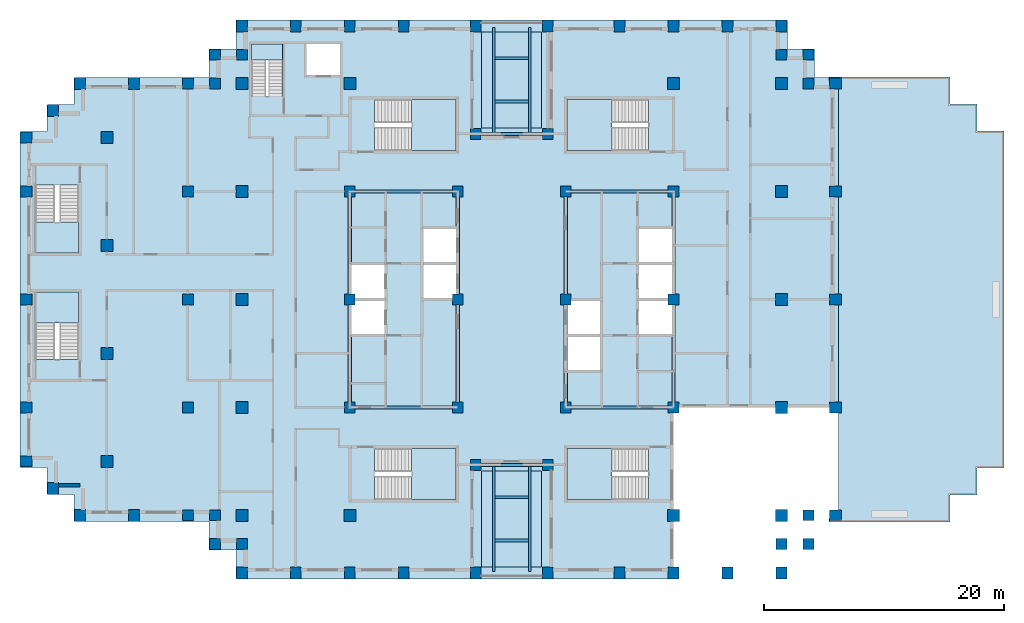
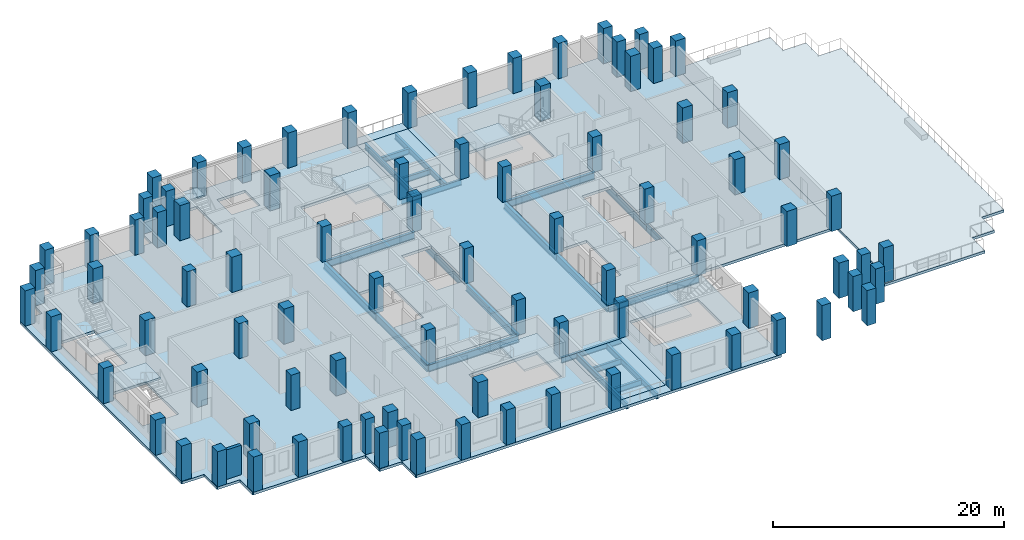
# One storey, part 1 of 12: 87 columns, 22 beams, 13 slabs, 1 wall, 7 elements without a shape of their own.
"""IFC4 building model written with IfcOpenShell, lengths in metres."""

from ifc_helpers import new_model, si_unit, direction, frame, frame_2d, origin, origin_2d, place, context, subcontext, project, spatial, polyline, rectangle, i_section, outline, extrude, material, layer, layer_set, material_profile, profile_set, type_object, element, aggregate, save


model = new_model("IFC4")

# Units and contexts
model_context = context("Model", 3, precision=1e-05, world=origin(), true_north=direction((0.0, 1.0)))
body_context = subcontext(model_context, "Body", "Model", "MODEL_VIEW")
ifc_project = project(units=[si_unit("LENGTHUNIT", "METRE"), si_unit("AREAUNIT", "SQUARE_METRE"), si_unit("VOLUMEUNIT", "CUBIC_METRE"), si_unit("PLANEANGLEUNIT", "RADIAN"), si_unit("MASSUNIT", "GRAM", prefix="KILO")], contexts=[model_context])

# Site, building, storey
site_placement = place(None, origin())
site = spatial("IfcSite", under=ifc_project, at=site_placement, CompositionType="ELEMENT")
building_placement = place(site_placement, origin())
building = spatial("IfcBuilding", under=site, at=building_placement, Name="Corbelhall Arena Tower", CompositionType="ELEMENT")
storey_placement = place(building_placement, frame((0.0, 0.0, 184.0)))
storey = spatial("IfcBuildingStorey", under=building, at=storey_placement, Name="L37", CompositionType="ELEMENT", Elevation=184.0)

# Columns
ifc_material_1 = material(Name="Concrete C80/95", Category="concrete")
ifc_material_profile_1 = material_profile(ifc_material_1, rectangle(XDim=1.0, YDim=1.0, at=origin_2d()))
ifc_profile_set_1 = profile_set([ifc_material_profile_1], Name="Concrete C80/95")
column_type_1 = type_object("IfcColumnType", Name="ST-COL-RC 1000x1000", PredefinedType="COLUMN", material=ifc_profile_set_1)
for number, where, z_axis, x_axis, name in (
    (1, (-33.75, 4.5, 0.0), (0.0, 0.0, 1.0), (1.0, 0.0, 0.0), "Column FIC+0450"),
    (2, (-33.75, 13.5, 0.0), (0.0, 0.0, 1.0), (1.0, 0.0, 0.0), "Column FIC+1350"),
    (3, (-33.75, -4.5, 0.0), (0.0, 0.0, 1.0), (1.0, 0.0, 0.0), "Column FIC-0450"),
    (4, (-33.75, -13.5, 0.0), (0.0, 0.0, 1.0), (1.0, 0.0, 0.0), "Column FIC-1350"),
    (5, (13.5, 18.0, 0.0), (0.0, 0.0, 1.0), (1.0, 0.0, 0.0), "Column IE13+1800"),
    (6, (13.5, -18.0, 0.0), (0.0, 0.0, 1.0), (1.0, 0.0, 0.0), "Column IE13-1800"),
    (7, (22.5, 0.0, 0.0), (0.0, 0.0, 1.0), (1.0, 0.0, 0.0), "Column IE22+0000"),
    (8, (22.5, 9.0, 0.0), (0.0, 0.0, 1.0), (1.0, 0.0, 0.0), "Column IE22+0900"),
    (9, (22.5, 18.0, 0.0), (0.0, 0.0, 1.0), (1.0, 0.0, 0.0), "Column IE22+1800"),
    (10, (22.5, -9.0, 0.0), (0.0, 0.0, 1.0), (1.0, 0.0, 0.0), "Column IE22-0900"),
    (11, (22.5, -18.0, 0.0), (0.0, 0.0, 1.0), (1.0, 0.0, 0.0), "Column IE22-1800"),
    (12, (-13.5, 18.0, 0.0), (0.0, 0.0, 1.0), (1.0, 0.0, 0.0), "Column IW13+1800"),
    (13, (-13.5, -18.0, 0.0), (0.0, 0.0, 1.0), (1.0, 0.0, 0.0), "Column IW13-1800"),
    (14, (-22.5, 0.0, 0.0), (0.0, 0.0, 1.0), (1.0, 0.0, 0.0), "Column IW22+0000"),
    (15, (-22.5, 9.0, 0.0), (0.0, 0.0, 1.0), (1.0, 0.0, 0.0), "Column IW22+0900"),
    (16, (-22.5, 18.0, 0.0), (0.0, 0.0, 1.0), (1.0, 0.0, 0.0), "Column IW22+1800"),
    (17, (-22.5, -9.0, 0.0), (0.0, 0.0, 1.0), (1.0, 0.0, 0.0), "Column IW22-0900"),
    (18, (-22.5, -18.0, 0.0), (0.0, 0.0, 1.0), (1.0, 0.0, 0.0), "Column IW22-1800"),
):
    element("IfcColumn", number, at=place(storey_placement, frame(where, z_axis=z_axis, x_axis=x_axis)), inside=storey, type_object=column_type_1, Name=name, PredefinedType="COLUMN", context=body_context, shape_type="SweptSolid", body=[
        extrude(rectangle(XDim=1.0, YDim=1.0, at=origin_2d()), origin(), (0.0, 0.0, 1.0), 3.719970703125),
    ])
ifc_material_profile_2 = material_profile(ifc_material_1, rectangle(XDim=0.89990234375, YDim=1.0, at=origin_2d()))
ifc_profile_set_2 = profile_set([ifc_material_profile_2], Name="Concrete C80/95")
column_type_2 = type_object("IfcColumnType", Name="ST-COL-RC 900x1000", PredefinedType="COLUMN", material=ifc_profile_set_2)
for number, where, z_axis, x_axis, name in (
    (19, (-40.5, 0.0, 0.0), (0.0, 0.0, 1.0), (0.0, 1.0, 0.0), "Column FC+0000"),
    (20, (-40.5, 9.0, 0.0), (0.0, 0.0, 1.0), (0.0, 1.0, 0.0), "Column FC+0900"),
    (21, (-40.5, 13.5, 0.0), (0.0, 0.0, 1.0), (0.0, 1.0, 0.0), "Column FC+1350"),
    (22, (-40.5, -9.0, 0.0), (0.0, 0.0, 1.0), (0.0, 1.0, 0.0), "Column FC-0900"),
    (23, (-40.5, -13.5, 0.0), (0.0, 0.0, 1.0), (0.0, 1.0, 0.0), "Column FC-1350"),
    (24, (-38.25, 15.75, 0.0), (0.0, 0.0, 1.0), (1.0, 0.0, 0.0), "Column FCCN"),
    (25, (-38.25, -15.75, 0.0), (0.0, 0.0, 1.0), (1.0, 0.0, 0.0), "Column FCCS"),
    (26, (-31.5, 18.0, 0.0), (0.0, 0.0, 1.0), (1.0, 0.0, 0.0), "Column FCN3150"),
    (27, (-36.0, 18.0, 0.0), (0.0, 0.0, 1.0), (1.0, 0.0, 0.0), "Column FCN3600"),
    (28, (-31.5, -18.0, 0.0), (0.0, 0.0, 1.0), (1.0, 0.0, 0.0), "Column FCS3150"),
    (29, (-36.0, -18.0, 0.0), (0.0, 0.0, 1.0), (1.0, 0.0, 0.0), "Column FCS3600"),
    (30, (27.0, 0.0, 0.0), (0.0, 0.0, 1.0), (0.0, 1.0, 0.0), "Column PE+0000"),
    (31, (27.0, 9.0, 0.0), (0.0, 0.0, 1.0), (0.0, 1.0, 0.0), "Column PE+0900"),
    (32, (27.0, 18.0, 0.0), (0.0, 0.0, 1.0), (0.0, 1.0, 0.0), "Column PE+1800"),
    (33, (27.0, -9.0, 0.0), (0.0, 0.0, 1.0), (0.0, 1.0, 0.0), "Column PE-0900"),
    (34, (27.0, -18.0, 0.0), (0.0, 0.0, 1.0), (0.0, 1.0, 0.0), "Column PE-1800"),
    (35, (3.0, 22.800048828125, 0.0), (0.0, 0.0, 1.0), (1.0, 0.0, 0.0), "Column PNE0300"),
    (36, (9.0, 22.800048828125, 0.0), (0.0, 0.0, 1.0), (1.0, 0.0, 0.0), "Column PNE0900"),
    (37, (13.5, 22.800048828125, 0.0), (0.0, 0.0, 1.0), (1.0, 0.0, 0.0), "Column PNE1350"),
    (38, (18.0, 22.800048828125, 0.0), (0.0, 0.0, 1.0), (1.0, 0.0, 0.0), "Column PNE1800"),
    (39, (22.5, 22.800048828125, 0.0), (0.0, 0.0, 1.0), (1.0, 0.0, 0.0), "Column PNE2250"),
    (40, (-3.0, 22.800048828125, 0.0), (0.0, 0.0, 1.0), (1.0, 0.0, 0.0), "Column PNW0300"),
    (41, (-9.0, 22.800048828125, 0.0), (0.0, 0.0, 1.0), (1.0, 0.0, 0.0), "Column PNW0900"),
    (42, (-13.5, 22.800048828125, 0.0), (0.0, 0.0, 1.0), (1.0, 0.0, 0.0), "Column PNW1350"),
    (43, (-18.0, 22.800048828125, 0.0), (0.0, 0.0, 1.0), (1.0, 0.0, 0.0), "Column PNW1800"),
    (44, (-22.5, 22.800048828125, 0.0), (0.0, 0.0, 1.0), (1.0, 0.0, 0.0), "Column PNW2250"),
    (45, (3.0, -22.800048828125, 0.0), (0.0, 0.0, 1.0), (1.0, 0.0, 0.0), "Column PSE0300"),
    (46, (9.0, -22.800048828125, 0.0), (0.0, 0.0, 1.0), (1.0, 0.0, 0.0), "Column PSE0900"),
    (47, (13.5, -22.800048828125, 0.0), (0.0, 0.0, 1.0), (1.0, 0.0, 0.0), "Column PSE1350"),
    (48, (18.0, -22.800048828125, 0.0), (0.0, 0.0, 1.0), (1.0, 0.0, 0.0), "Column PSE1800"),
    (49, (22.5, -22.800048828125, 0.0), (0.0, 0.0, 1.0), (1.0, 0.0, 0.0), "Column PSE2250"),
    (50, (-3.0, -22.800048828125, 0.0), (0.0, 0.0, 1.0), (1.0, 0.0, 0.0), "Column PSW0300"),
    (51, (-9.0, -22.800048828125, 0.0), (0.0, 0.0, 1.0), (1.0, 0.0, 0.0), "Column PSW0900"),
    (52, (-13.5, -22.800048828125, 0.0), (0.0, 0.0, 1.0), (1.0, 0.0, 0.0), "Column PSW1350"),
    (53, (-18.0, -22.800048828125, 0.0), (0.0, 0.0, 1.0), (1.0, 0.0, 0.0), "Column PSW1800"),
    (54, (-22.5, -22.800048828125, 0.0), (0.0, 0.0, 1.0), (1.0, 0.0, 0.0), "Column PSW2250"),
):
    element("IfcColumn", number, at=place(storey_placement, frame(where, z_axis=z_axis, x_axis=x_axis)), inside=storey, type_object=column_type_2, Name=name, PredefinedType="COLUMN", context=body_context, shape_type="SweptSolid", body=[
        extrude(rectangle(XDim=0.89990234375, YDim=1.0, at=origin_2d()), origin(), (0.0, 0.0, 1.0), 3.719970703125),
    ])
ifc_material_profile_3 = material_profile(ifc_material_1, rectangle(XDim=0.89990234375, YDim=0.89990234375, at=origin_2d()))
ifc_profile_set_3 = profile_set([ifc_material_profile_3], Name="Concrete C80/95")
column_type_3 = type_object("IfcColumnType", Name="ST-COL-RC 900x900", PredefinedType="COLUMN", material=ifc_profile_set_3)
for number, where, z_axis, x_axis, name in (
    (55, (4.5, 0.0, 0.0), (0.0, 0.0, 1.0), (1.0, 0.0, 0.0), "Column KE+0450+0000"),
    (56, (4.5, 9.0, 0.0), (0.0, 0.0, 1.0), (1.0, 0.0, 0.0), "Column KE+0450+0900"),
    (57, (4.5, -9.0, 0.0), (0.0, 0.0, 1.0), (1.0, 0.0, 0.0), "Column KE+0450-0900"),
    (58, (13.5, 0.0, 0.0), (0.0, 0.0, 1.0), (1.0, 0.0, 0.0), "Column KE+1350+0000"),
    (59, (13.5, 9.0, 0.0), (0.0, 0.0, 1.0), (1.0, 0.0, 0.0), "Column KE+1350+0900"),
    (60, (13.5, -9.0, 0.0), (0.0, 0.0, 1.0), (1.0, 0.0, 0.0), "Column KE+1350-0900"),
    (61, (-4.5, 0.0, 0.0), (0.0, 0.0, 1.0), (1.0, 0.0, 0.0), "Column KW-0450+0000"),
    (62, (-4.5, 9.0, 0.0), (0.0, 0.0, 1.0), (1.0, 0.0, 0.0), "Column KW-0450+0900"),
    (63, (-4.5, -9.0, 0.0), (0.0, 0.0, 1.0), (1.0, 0.0, 0.0), "Column KW-0450-0900"),
    (64, (-13.5, 0.0, 0.0), (0.0, 0.0, 1.0), (1.0, 0.0, 0.0), "Column KW-1350+0000"),
    (65, (-13.5, 9.0, 0.0), (0.0, 0.0, 1.0), (1.0, 0.0, 0.0), "Column KW-1350+0900"),
    (66, (-13.5, -9.0, 0.0), (0.0, 0.0, 1.0), (1.0, 0.0, 0.0), "Column KW-1350-0900"),
    (67, (-27.0, 0.0, 0.0), (0.0, 0.0, 1.0), (1.0, 0.0, 0.0), "Column PW+0000"),
    (68, (-27.0, 9.0, 0.0), (0.0, 0.0, 1.0), (1.0, 0.0, 0.0), "Column PW+0900"),
    (69, (-27.0, 18.0, 0.0), (0.0, 0.0, 1.0), (1.0, 0.0, 0.0), "Column PW+1800"),
    (70, (-27.0, -9.0, 0.0), (0.0, 0.0, 1.0), (1.0, 0.0, 0.0), "Column PW-0900"),
    (71, (-27.0, -18.0, 0.0), (0.0, 0.0, 1.0), (1.0, 0.0, 0.0), "Column PW-1800"),
    (72, (3.0, 13.800048828125, 0.0), (0.0, 0.0, 1.0), (1.0, 0.0, 0.0), "Column SLNE2"),
    (73, (-3.0, 13.800048828125, 0.0), (0.0, 0.0, 1.0), (1.0, 0.0, 0.0), "Column SLNW2"),
    (74, (3.0, -13.800048828125, 0.0), (0.0, 0.0, 1.0), (1.0, 0.0, 0.0), "Column SLSE2"),
    (75, (-3.0, -13.800048828125, 0.0), (0.0, 0.0, 1.0), (1.0, 0.0, 0.0), "Column SLSW2"),
    (76, (22.5, 20.39990234375, 0.0), (0.0, 0.0, 1.0), (1.0, 0.0, 0.0), "Column XNE1"),
    (77, (24.75, 20.39990234375, 0.0), (0.0, 0.0, 1.0), (1.0, 0.0, 0.0), "Column XNE2"),
    (78, (24.75, 18.0, 0.0), (0.0, 0.0, 1.0), (1.0, 0.0, 0.0), "Column XNE3"),
    (79, (-22.5, 20.39990234375, 0.0), (0.0, 0.0, 1.0), (1.0, 0.0, 0.0), "Column XNW1"),
    (80, (-24.75, 20.39990234375, 0.0), (0.0, 0.0, 1.0), (1.0, 0.0, 0.0), "Column XNW2"),
    (81, (-24.75, 18.0, 0.0), (0.0, 0.0, 1.0), (1.0, 0.0, 0.0), "Column XNW3"),
    (82, (22.5, -20.39990234375, 0.0), (0.0, 0.0, 1.0), (1.0, 0.0, 0.0), "Column XSE1"),
    (83, (24.75, -20.39990234375, 0.0), (0.0, 0.0, 1.0), (1.0, 0.0, 0.0), "Column XSE2"),
    (84, (24.75, -18.0, 0.0), (0.0, 0.0, 1.0), (1.0, 0.0, 0.0), "Column XSE3"),
    (85, (-22.5, -20.39990234375, 0.0), (0.0, 0.0, 1.0), (1.0, 0.0, 0.0), "Column XSW1"),
    (86, (-24.75, -20.39990234375, 0.0), (0.0, 0.0, 1.0), (1.0, 0.0, 0.0), "Column XSW2"),
    (87, (-24.75, -18.0, 0.0), (0.0, 0.0, 1.0), (1.0, 0.0, 0.0), "Column XSW3"),
):
    element("IfcColumn", number, at=place(storey_placement, frame(where, z_axis=z_axis, x_axis=x_axis)), inside=storey, type_object=column_type_3, Name=name, PredefinedType="COLUMN", context=body_context, shape_type="SweptSolid", body=[
        extrude(rectangle(XDim=0.89990234375, YDim=0.89990234375, at=origin_2d()), origin(), (0.0, 0.0, 1.0), 3.719970703125),
    ])

# Beams
ifc_material_2 = material(Name="Steel ASTM A992 Gr50", Category="steel")
ifc_material_profile_4 = material_profile(ifc_material_2, i_section(OverallWidth=0.228271484375, OverallDepth=0.607177734375, WebThickness=0.01123046875, FlangeThickness=0.017333984375, at=origin_2d()))
ifc_profile_set_4 = profile_set([ifc_material_profile_4], Name="Steel ASTM A992 Gr50")
beam_type_1 = type_object("IfcBeamType", Name="ST-BEAM-W24x76", PredefinedType="BEAM", material=ifc_profile_set_4)
beam_1_placement = place(storey_placement, frame((-3.0, 13.800048828125, -0.58349609375), z_axis=(1.0, 0.0, 0.0), x_axis=(0.0, 1.0, 0.0)))
element("IfcBeam", 88, at=beam_1_placement, inside=storey, type_object=beam_type_1, Name="Beam SFN 1", PredefinedType="BEAM", context=body_context, shape_type="SweptSolid", body=[
    extrude(i_section(OverallWidth=0.228271484375, OverallDepth=0.607177734375, WebThickness=0.01123046875, FlangeThickness=0.017333984375, at=origin_2d()), origin(), (0.0, 0.0, 1.0), 6.0),
])
for number, where, z_axis, x_axis, name in (
    (89, (-1.5, 13.9140625, -0.58349609375), (0.0, 1.0, 0.0), (-1.0, 0.0, 0.0), "Beam SFN 2"),
    (90, (1.5, 13.9140625, -0.58349609375), (0.0, 1.0, 0.0), (-1.0, 0.0, 0.0), "Beam SFN 3"),
):
    element("IfcBeam", number, at=place(storey_placement, frame(where, z_axis=z_axis, x_axis=x_axis)), inside=storey, type_object=beam_type_1, Name=name, PredefinedType="BEAM", context=body_context, shape_type="SweptSolid", body=[
        extrude(i_section(OverallWidth=0.228271484375, OverallDepth=0.607177734375, WebThickness=0.01123046875, FlangeThickness=0.017333984375, at=origin_2d()), origin(), (0.0, 0.0, 1.0), 8.771728515625),
    ])
for number, where, z_axis, x_axis, name in (
    (91, (-1.3857421875, 16.5, -0.58349609375), (1.0, 0.0, 0.0), (0.0, 1.0, 0.0), "Beam SFN 4"),
    (92, (-1.3857421875, 20.10009765625, -0.58349609375), (1.0, 0.0, 0.0), (0.0, 1.0, 0.0), "Beam SFN 5"),
):
    element("IfcBeam", number, at=place(storey_placement, frame(where, z_axis=z_axis, x_axis=x_axis)), inside=storey, type_object=beam_type_1, Name=name, PredefinedType="BEAM", context=body_context, shape_type="SweptSolid", body=[
        extrude(i_section(OverallWidth=0.228271484375, OverallDepth=0.607177734375, WebThickness=0.01123046875, FlangeThickness=0.017333984375, at=origin_2d()), origin(), (0.0, 0.0, 1.0), 2.771484375),
    ])
beam_2_placement = place(storey_placement, frame((-3.0, -13.800048828125, -0.58349609375), z_axis=(1.0, 0.0, 0.0), x_axis=(0.0, 1.0, 0.0)))
element("IfcBeam", 93, at=beam_2_placement, inside=storey, type_object=beam_type_1, Name="Beam SFS 1", PredefinedType="BEAM", context=body_context, shape_type="SweptSolid", body=[
    extrude(i_section(OverallWidth=0.228271484375, OverallDepth=0.607177734375, WebThickness=0.01123046875, FlangeThickness=0.017333984375, at=origin_2d()), origin(), (0.0, 0.0, 1.0), 6.0),
])
for number, where, z_axis, x_axis, name in (
    (94, (-1.5, -13.9140625, -0.58349609375), (0.0, -1.0, 0.0), (1.0, 0.0, 0.0), "Beam SFS 2"),
    (95, (1.5, -13.9140625, -0.58349609375), (0.0, -1.0, 0.0), (1.0, 0.0, 0.0), "Beam SFS 3"),
):
    element("IfcBeam", number, at=place(storey_placement, frame(where, z_axis=z_axis, x_axis=x_axis)), inside=storey, type_object=beam_type_1, Name=name, PredefinedType="BEAM", context=body_context, shape_type="SweptSolid", body=[
        extrude(i_section(OverallWidth=0.228271484375, OverallDepth=0.607177734375, WebThickness=0.01123046875, FlangeThickness=0.017333984375, at=origin_2d()), origin(), (0.0, 0.0, 1.0), 8.771728515625),
    ])
for number, where, z_axis, x_axis, name in (
    (96, (-1.3857421875, -16.5, -0.58349609375), (1.0, 0.0, 0.0), (0.0, 1.0, 0.0), "Beam SFS 4"),
    (97, (-1.3857421875, -20.10009765625, -0.58349609375), (1.0, 0.0, 0.0), (0.0, 1.0, 0.0), "Beam SFS 5"),
):
    element("IfcBeam", number, at=place(storey_placement, frame(where, z_axis=z_axis, x_axis=x_axis)), inside=storey, type_object=beam_type_1, Name=name, PredefinedType="BEAM", context=body_context, shape_type="SweptSolid", body=[
        extrude(i_section(OverallWidth=0.228271484375, OverallDepth=0.607177734375, WebThickness=0.01123046875, FlangeThickness=0.017333984375, at=origin_2d()), origin(), (0.0, 0.0, 1.0), 2.771484375),
    ])
ifc_material_profile_5 = material_profile(ifc_material_2, i_section(OverallWidth=0.2666015625, OverallDepth=0.761962890625, WebThickness=0.014404296875, FlangeThickness=0.021484375, at=origin_2d()))
ifc_profile_set_5 = profile_set([ifc_material_profile_5], Name="Steel ASTM A992 Gr50")
beam_type_2 = type_object("IfcBeamType", Name="ST-BEAM-W30x116", PredefinedType="BEAM", material=ifc_profile_set_5)
for number, where, z_axis, x_axis, name in (
    (98, (-13.5, -9.0, -0.660888671875), (0.0, 1.0, 0.0), (-1.0, 0.0, 0.0), "Beam CEW 1"),
    (99, (-13.5, 0.0, -0.660888671875), (0.0, 1.0, 0.0), (-1.0, 0.0, 0.0), "Beam CEW 2"),
    (100, (-4.5, -9.0, -0.660888671875), (0.0, 1.0, 0.0), (-1.0, 0.0, 0.0), "Beam CEW 3"),
    (101, (-4.5, 0.0, -0.660888671875), (0.0, 1.0, 0.0), (-1.0, 0.0, 0.0), "Beam CEW 4"),
    (102, (-13.5, -9.0, -0.660888671875), (1.0, 0.0, 0.0), (0.0, 1.0, 0.0), "Beam CEW 5"),
    (103, (-13.5, 9.0, -0.660888671875), (1.0, 0.0, 0.0), (0.0, 1.0, 0.0), "Beam CEW 6"),
    (104, (4.5, -9.0, -0.660888671875), (0.0, 1.0, 0.0), (-1.0, 0.0, 0.0), "Beam CEE 7"),
    (105, (4.5, 0.0, -0.660888671875), (0.0, 1.0, 0.0), (-1.0, 0.0, 0.0), "Beam CEE 8"),
    (106, (13.5, -9.0, -0.660888671875), (0.0, 1.0, 0.0), (-1.0, 0.0, 0.0), "Beam CEE 9"),
    (107, (13.5, 0.0, -0.660888671875), (0.0, 1.0, 0.0), (-1.0, 0.0, 0.0), "Beam CEE 10"),
    (108, (4.5, -9.0, -0.660888671875), (1.0, 0.0, 0.0), (0.0, 1.0, 0.0), "Beam CEE 11"),
    (109, (4.5, 9.0, -0.660888671875), (1.0, 0.0, 0.0), (0.0, 1.0, 0.0), "Beam CEE 12"),
):
    element("IfcBeam", number, at=place(storey_placement, frame(where, z_axis=z_axis, x_axis=x_axis)), inside=storey, type_object=beam_type_2, Name=name, PredefinedType="BEAM", context=body_context, shape_type="SweptSolid", body=[
        extrude(i_section(OverallWidth=0.2666015625, OverallDepth=0.761962890625, WebThickness=0.014404296875, FlangeThickness=0.021484375, at=origin_2d()), origin(), (0.0, 0.0, 1.0), 9.0),
    ])

# Slabs
ifc_material_3 = material(Name="Concrete C40/50", Category="concrete")
ifc_layer_1 = layer(ifc_material_3, 0.300048828125)
ifc_layer_set_1 = layer_set([ifc_layer_1], Name="IN-SL-CORE")
slab_type_1 = type_object("IfcSlabType", Name="IN-SL-CORE", PredefinedType="FLOOR", material=ifc_layer_set_1)
slab_1_placement = place(storey_placement, frame((0.0, 0.0, -0.280029296875)))
element("IfcSlab", 110, at=slab_1_placement, inside=storey, type_object=slab_type_1, Name="Core floor W", PredefinedType="FLOOR", context=body_context, shape_type="SweptSolid", body=[
    extrude(outline(polyline([(-10.5, -3.0), (-13.5, -3.0), (-13.5, -9.0), (-4.5, -9.0), (-4.5, 0.0), (-7.5, 0.0), (-7.5, 3.0), (-7.5, 6.0), (-4.5, 6.0), (-4.5, 9.0), (-13.5, 9.0), (-13.5, 3.0), (-10.5, 3.0), (-10.5, 0.0), (-10.5, -3.0)])), origin(), (0.0, 0.0, 1.0), 0.280029296875),
])
slab_2_placement = place(storey_placement, frame((0.0, 0.0, -0.280029296875)))
element("IfcSlab", 111, at=slab_2_placement, inside=storey, type_object=slab_type_1, Name="Core floor E", PredefinedType="FLOOR", context=body_context, shape_type="SweptSolid", body=[
    extrude(outline(polyline([(13.5, -3.0), (10.5, -3.0), (10.5, 0.0), (10.5, 3.0), (10.5, 6.0), (13.5, 6.0), (13.5, 9.0), (4.5, 9.0), (4.5, 0.0), (7.5, 0.0), (7.5, -3.0), (7.5, -6.0), (4.5, -6.0), (4.5, -9.0), (13.5, -9.0), (13.5, -3.0)])), origin(), (0.0, 0.0, 1.0), 0.280029296875),
])

# Stair, slab
stair_type = type_object("IfcStairType", Name="IN-ST-TOWER", PredefinedType="HALF_TURN_STAIR", material=ifc_material_3)
stair_1_placement = place(storey_placement, origin())
stair_1 = element("IfcStair", 112, at=stair_1_placement, inside=storey, type_object=stair_type, Name="L37 Exit stair ST1", PredefinedType="HALF_TURN_STAIR")
ifc_layer_2 = layer(ifc_material_3, 0.199951171875)
ifc_layer_set_2 = layer_set([ifc_layer_2], Name="IN-SL-LANDING")
slab_type_2 = type_object("IfcSlabType", Name="IN-SL-LANDING", PredefinedType="LANDING", material=ifc_layer_set_2)
slab_3_placement = place(storey_placement, frame((0.0, 0.0, 1.800048828125)))
slab_3 = element("IfcSlab", 113, at=slab_3_placement, type_object=slab_type_2, Name="ST1 landing 1", PredefinedType="LANDING", context=body_context, shape_type="SweptSolid", body=[
    extrude(outline(polyline([(-8.344970703125, 12.425048828125), (-4.625, 12.425048828125), (-4.625, 16.675048828125), (-8.344970703125, 16.675048828125), (-8.344970703125, 12.425048828125)])), origin(), (0.0, 0.0, 1.0), 0.199951171875),
])
aggregate(stair_1, [slab_3])

stair_2_placement = place(storey_placement, origin())
stair_2 = element("IfcStair", 114, at=stair_2_placement, inside=storey, type_object=stair_type, Name="L37 Exit stair ST2", PredefinedType="HALF_TURN_STAIR")
slab_4_placement = place(storey_placement, frame((0.0, 0.0, 1.800048828125)))
slab_4 = element("IfcSlab", 115, at=slab_4_placement, type_object=slab_type_2, Name="ST2 landing 1", PredefinedType="LANDING", context=body_context, shape_type="SweptSolid", body=[
    extrude(outline(polyline([(-8.344970703125, -16.675048828125), (-4.625, -16.675048828125), (-4.625, -12.425048828125), (-8.344970703125, -12.425048828125), (-8.344970703125, -16.675048828125)])), origin(), (0.0, 0.0, 1.0), 0.199951171875),
])
aggregate(stair_2, [slab_4])

stair_3_placement = place(storey_placement, origin())
stair_3 = element("IfcStair", 116, at=stair_3_placement, inside=storey, type_object=stair_type, Name="L37 Exit stair ST3", PredefinedType="HALF_TURN_STAIR")
slab_5_placement = place(storey_placement, frame((0.0, 0.0, 1.800048828125)))
slab_5 = element("IfcSlab", 117, at=slab_5_placement, type_object=slab_type_2, Name="ST3 landing 1", PredefinedType="LANDING", context=body_context, shape_type="SweptSolid", body=[
    extrude(outline(polyline([(8.344970703125, 16.675048828125), (4.625, 16.675048828125), (4.625, 12.425048828125), (8.344970703125, 12.425048828125), (8.344970703125, 16.675048828125)])), origin(), (0.0, 0.0, 1.0), 0.199951171875),
])
aggregate(stair_3, [slab_5])

stair_4_placement = place(storey_placement, origin())
stair_4 = element("IfcStair", 118, at=stair_4_placement, inside=storey, type_object=stair_type, Name="L37 Exit stair ST4", PredefinedType="HALF_TURN_STAIR")
slab_6_placement = place(storey_placement, frame((0.0, 0.0, 1.800048828125)))
slab_6 = element("IfcSlab", 119, at=slab_6_placement, type_object=slab_type_2, Name="ST4 landing 1", PredefinedType="LANDING", context=body_context, shape_type="SweptSolid", body=[
    extrude(outline(polyline([(8.344970703125, -12.425048828125), (4.625, -12.425048828125), (4.625, -16.675048828125), (8.344970703125, -16.675048828125), (8.344970703125, -12.425048828125)])), origin(), (0.0, 0.0, 1.0), 0.199951171875),
])
aggregate(stair_4, [slab_6])

stair_5_placement = place(storey_placement, origin())
stair_5 = element("IfcStair", 120, at=stair_5_placement, inside=storey, type_object=stair_type, Name="L37 Exit stair SC1", PredefinedType="HALF_TURN_STAIR")
slab_7_placement = place(storey_placement, frame((0.0, 0.0, 1.800048828125)))
slab_7 = element("IfcSlab", 121, at=slab_7_placement, type_object=slab_type_2, Name="SC1 landing 1", PredefinedType="LANDING", context=body_context, shape_type="SweptSolid", body=[
    extrude(outline(polyline([(-39.699951171875, 6.445068359375), (-39.699951171875, 3.875), (-36.125, 3.875), (-36.125, 6.445068359375), (-39.699951171875, 6.445068359375)])), origin(), (0.0, 0.0, 1.0), 0.199951171875),
])
aggregate(stair_5, [slab_7])

stair_6_placement = place(storey_placement, origin())
stair_6 = element("IfcStair", 122, at=stair_6_placement, inside=storey, type_object=stair_type, Name="L37 Exit stair SC2", PredefinedType="HALF_TURN_STAIR")
slab_8_placement = place(storey_placement, frame((0.0, 0.0, 1.800048828125)))
slab_8 = element("IfcSlab", 123, at=slab_8_placement, type_object=slab_type_2, Name="SC2 landing 1", PredefinedType="LANDING", context=body_context, shape_type="SweptSolid", body=[
    extrude(outline(polyline([(-36.125, -1.945068359375), (-36.125, 0.625), (-39.699951171875, 0.625), (-39.699951171875, -1.945068359375), (-36.125, -1.945068359375)])), origin(), (0.0, 0.0, 1.0), 0.199951171875),
])
aggregate(stair_6, [slab_8])

stair_7_placement = place(storey_placement, origin())
stair_7 = element("IfcStair", 124, at=stair_7_placement, inside=storey, type_object=stair_type, Name="L37 Exit stair ST5", PredefinedType="HALF_TURN_STAIR")
slab_9_placement = place(storey_placement, frame((0.0, 0.0, 1.800048828125)))
slab_9 = element("IfcSlab", 125, at=slab_9_placement, type_object=slab_type_2, Name="ST5 landing 1", PredefinedType="LANDING", context=body_context, shape_type="SweptSolid", body=[
    extrude(outline(polyline([(-19.094970703125, 19.97998046875), (-19.094970703125, 21.300048828125), (-21.695068359375, 21.300048828125), (-21.695068359375, 19.97998046875), (-19.094970703125, 19.97998046875)])), origin(), (0.0, 0.0, 1.0), 0.199951171875),
])
aggregate(stair_7, [slab_9])

# Slabs
ifc_layer_3 = layer(ifc_material_3, 0.280029296875)
ifc_layer_set_3 = layer_set([ifc_layer_3], Name="ST-SLAB-FLOOR-280")
slab_type_3 = type_object("IfcSlabType", Name="ST-SLAB-FLOOR-280", PredefinedType="FLOOR", material=ifc_layer_set_3)
slab_10_placement = place(storey_placement, frame((0.0, 0.0, -0.280029296875)))
element("IfcSlab", 126, at=slab_10_placement, inside=storey, type_object=slab_type_3, Name="Floor slab L37 1", PredefinedType="FLOOR", context=body_context, shape_type="SweptSolid", body=[
    extrude(outline(polyline([(-22.949951171875, -23.300048828125), (13.5, -23.300048828125), (13.5, -9.0), (27.25, -9.0), (27.25, 18.25), (26.449951171875, 18.25), (26.449951171875, 18.5), (25.25, 18.5), (25.25, 20.85009765625), (25.199951171875, 20.89990234375), (23.0, 20.89990234375), (23.0, 23.25), (22.949951171875, 23.300048828125), (-22.949951171875, 23.300048828125), (-23.0, 23.25), (-23.0, 20.89990234375), (-25.199951171875, 20.89990234375), (-25.25, 20.85009765625), (-25.25, 18.5), (-36.449951171875, 18.5), (-36.5, 18.449951171875), (-36.5, 16.25), (-38.699951171875, 16.25), (-38.75, 16.199951171875), (-38.75, 14.0), (-40.949951171875, 14.0), (-41.0, 13.949951171875), (-41.0, -13.949951171875), (-40.949951171875, -14.0), (-38.75, -14.0), (-38.75, -16.199951171875), (-38.699951171875, -16.25), (-36.5, -16.25), (-36.5, -18.449951171875), (-36.449951171875, -18.5), (-25.25, -18.5), (-25.25, -20.85009765625), (-25.199951171875, -20.89990234375), (-23.0, -20.89990234375), (-23.0, -23.25), (-22.949951171875, -23.300048828125)]), holes=[polyline([(13.498779296875, 8.997314453125), (4.501220703125, 8.997314453125), (4.501220703125, -8.997314453125), (13.498779296875, -8.997314453125), (13.498779296875, 8.997314453125)]), polyline([(-2.5, -22.300048828125), (2.5, -22.300048828125), (2.5, -14.300048828125), (-2.5, -14.300048828125), (-2.5, -22.300048828125)]), polyline([(2.5, 14.300048828125), (2.5, 22.300048828125), (-2.5, 22.300048828125), (-2.5, 14.300048828125), (2.5, 14.300048828125)]), polyline([(-4.5, -9.0), (-4.5, 9.0), (-13.5, 9.0), (-13.5, -9.0), (-4.5, -9.0)]), polyline([(-11.422119140625, 12.425048828125), (-4.625, 12.425048828125), (-4.625, 16.675048828125), (-11.422119140625, 16.675048828125), (-11.422119140625, 12.425048828125)]), polyline([(-11.422119140625, -12.425048828125), (-11.422119140625, -16.675048828125), (-4.625, -16.675048828125), (-4.625, -12.425048828125), (-11.422119140625, -12.425048828125)]), polyline([(4.625, 12.425048828125), (11.422119140625, 12.425048828125), (11.422119140625, 16.675048828125), (4.625, 16.675048828125), (4.625, 12.425048828125)]), polyline([(4.625, -12.425048828125), (4.625, -16.675048828125), (11.422119140625, -16.675048828125), (11.422119140625, -12.425048828125), (4.625, -12.425048828125)]), polyline([(-39.699951171875, 9.52197265625), (-39.699951171875, 3.875), (-36.125, 3.875), (-36.125, 9.52197265625), (-39.699951171875, 9.52197265625)]), polyline([(-39.699951171875, -5.02197265625), (-36.125, -5.02197265625), (-36.125, 0.625), (-39.699951171875, 0.625), (-39.699951171875, -5.02197265625)]), polyline([(-21.695068359375, 21.300048828125), (-21.695068359375, 16.903076171875), (-19.094970703125, 16.903076171875), (-19.094970703125, 21.300048828125), (-21.695068359375, 21.300048828125)]), polyline([(-14.300048828125, 21.300048828125), (-17.10009765625, 21.300048828125), (-17.10009765625, 18.699951171875), (-14.300048828125, 18.699951171875), (-14.300048828125, 21.300048828125)])]), origin(), (0.0, 0.0, 1.0), 0.280029296875),
])
slab_11_placement = place(storey_placement, frame((0.0, 0.0, -0.280029296875)))
element("IfcSlab", 127, at=slab_11_placement, inside=storey, type_object=slab_type_3, Name="Terrace slab T-Z3-SLOT-N", PredefinedType="FLOOR", context=body_context, shape_type="SweptSolid", body=[
    extrude(outline(polyline([(2.5, 14.300048828125), (2.5, 22.300048828125), (-2.5, 22.300048828125), (-2.5, 14.300048828125), (2.5, 14.300048828125)])), origin(), (0.0, 0.0, 1.0), 0.280029296875),
])
slab_12_placement = place(storey_placement, frame((0.0, 0.0, -0.280029296875)))
element("IfcSlab", 128, at=slab_12_placement, inside=storey, type_object=slab_type_3, Name="Terrace slab T-Z3-SLOT-S", PredefinedType="FLOOR", context=body_context, shape_type="SweptSolid", body=[
    extrude(outline(polyline([(2.5, -22.300048828125), (2.5, -14.300048828125), (-2.5, -14.300048828125), (-2.5, -22.300048828125), (2.5, -22.300048828125)])), origin(), (0.0, 0.0, 1.0), 0.280029296875),
])
ifc_layer_4 = layer(ifc_material_3, 0.280029296875)
ifc_layer_set_4 = layer_set([ifc_layer_4], Name="ST-SLAB-ROOF-280")
slab_type_4 = type_object("IfcSlabType", Name="ST-SLAB-ROOF-280", PredefinedType="ROOF", material=ifc_layer_set_4)
slab_13_placement = place(storey_placement, frame((0.0, 0.0, -0.280029296875)))
element("IfcSlab", 129, at=slab_13_placement, inside=storey, type_object=slab_type_4, Name="Terrace slab T-D-ROOF", PredefinedType="ROOF", context=body_context, shape_type="SweptSolid", body=[
    extrude(outline(polyline([(26.449951171875, -18.25), (26.449951171875, -18.550048828125), (36.550048828125, -18.550048828125), (36.550048828125, -16.300048828125), (38.800048828125, -16.300048828125), (38.800048828125, -14.050048828125), (41.050048828125, -14.050048828125), (41.050048828125, 14.050048828125), (38.800048828125, 14.050048828125), (38.800048828125, 16.300048828125), (36.550048828125, 16.300048828125), (36.550048828125, 18.550048828125), (26.449951171875, 18.550048828125), (26.449951171875, 18.25), (27.25, 18.25), (27.25, -18.25), (26.449951171875, -18.25)])), origin(), (0.0, 0.0, 1.0), 0.280029296875),
])

# Wall
ifc_material_4 = material(Name="Precast concrete C40/50 with granite facing", Category="masonry")
ifc_layer_5 = layer(ifc_material_4, 0.300048828125)
ifc_layer_set_5 = layer_set([ifc_layer_5], Name="EV-IW1 Infill panel 300")
wall_type = type_object("IfcWallType", Name="EV-IW1 Infill panel 300", PredefinedType="SOLIDWALL", material=ifc_layer_set_5)
wall_placement = place(storey_placement, frame((-37.800048828125, -15.5, 0.0), z_axis=(0.0, 0.0, 1.0), x_axis=(1.0, 0.0, 0.0)))
element("IfcWall", 130, at=wall_placement, inside=storey, type_object=wall_type, Name="Infill panel IW1", PredefinedType="SOLIDWALL", context=body_context, shape_type="SweptSolid", body=[
    extrude(rectangle(XDim=1.800048828125, YDim=0.300048828125, at=frame_2d((0.89990234375, 0.0))), origin(), (0.0, 0.0, 1.0), 3.1201171875),
])

save(model, "model.ifc")
